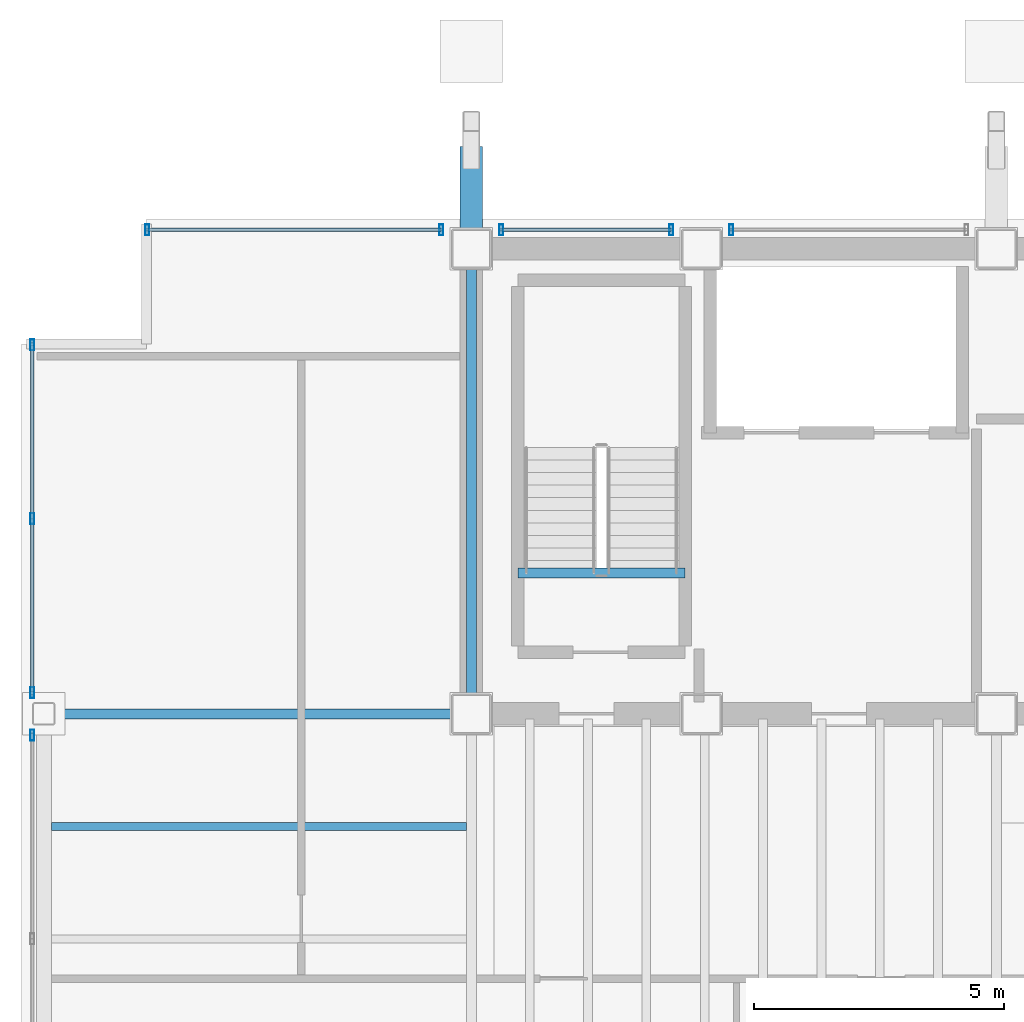
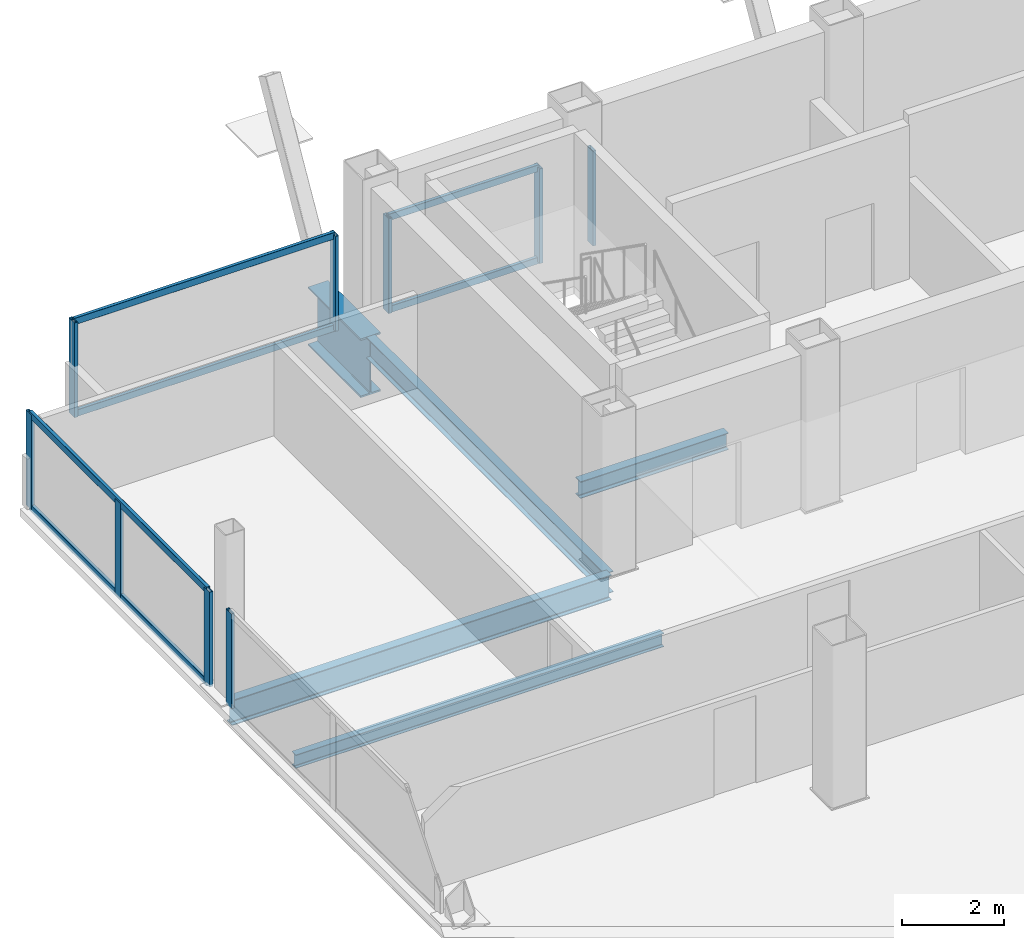
# One storey, part 8 of 16: 15 members, 5 beams, 5 elements without a shape of their own.
"""IFC4 building model written with IfcOpenShell, lengths in metres."""

import ifcopenshell
import ifcopenshell.guid

model = None  # the IFC model being written
_history = None  # IfcOwnerHistory: only IFC2X3 demands one
_inside = {}  # id of a spatial element -> (the spatial element, [elements in it])
_under = {}  # id of a project, library or spatial element -> (it, [spatial elements below it])
_declared = {}  # id of a project -> (the project, [libraries it declares])
_typed = {}  # id of a type object -> (the type object, [elements of that type])
_made_of = {}  # id of a material, layer set ... -> (it, [elements and type objects made of it])


def new_model(schema):
    """Start an empty IFC model of exactly this schema.

    Asked for "IFC4X3", IfcOpenShell would pick the latest addendum, in which some entities
    have other attributes; the version numbers below select the first issue.
    IFC2X3 requires an IfcOwnerHistory on every rooted entity: one is made here for all.
    """
    global model, _history
    if schema == "IFC4X3":
        model = ifcopenshell.file(schema_version=(4, 3, 0, 0))
    else:
        model = ifcopenshell.file(schema=schema)
    _inside.clear()
    _under.clear()
    _declared.clear()
    _typed.clear()
    _made_of.clear()
    _history = None
    if model.schema == "IFC2X3":
        org = make("IfcOrganization", Name="unknown")
        user = make(
            "IfcPersonAndOrganization",
            ThePerson=make("IfcPerson", FamilyName="unknown"),
            TheOrganization=org,
        )
        app = make(
            "IfcApplication",
            ApplicationDeveloper=org,
            Version="unknown",
            ApplicationFullName="unknown",
            ApplicationIdentifier="unknown",
        )
        _history = make(
            "IfcOwnerHistory",
            OwningUser=user,
            OwningApplication=app,
            ChangeAction="ADDED",
            CreationDate=0,
        )
    return model


def make(cls, **values):
    """One entity of the class cls with the attributes given. An attribute that is None is left unset."""
    return model.create_entity(
        cls, **{name: value for name, value in values.items() if value is not None}
    )


def rooted(cls, **values):
    """An entity with a GlobalId (a new one), such as an element, a storey or a relation."""
    return make(cls, GlobalId=ifcopenshell.guid.new(), OwnerHistory=_history, **values)


def si_unit(unit_type, name, prefix=None):
    """IfcSIUnit, for example si_unit("LENGTHUNIT", "METRE", prefix="MILLI")."""
    return make("IfcSIUnit", UnitType=unit_type, Prefix=prefix, Name=name)


def assignment(units):
    """IfcUnitAssignment: the units of a project."""
    return None if units is None else make("IfcUnitAssignment", Units=units)


def point(xyz):
    """IfcCartesianPoint."""
    return None if xyz is None else make("IfcCartesianPoint", Coordinates=xyz)


def direction(xyz):
    """IfcDirection."""
    return None if xyz is None else make("IfcDirection", DirectionRatios=xyz)


def frame(location, z_axis=None, x_axis=None):
    """IfcAxis2Placement3D, a coordinate frame: its origin and axes. An axis left out is left unset."""
    return make(
        "IfcAxis2Placement3D",
        Location=point(location),
        Axis=direction(z_axis),
        RefDirection=direction(x_axis),
    )


def frame_2d(location, x_axis=None):
    """IfcAxis2Placement2D, a coordinate frame in the plane: its origin and x axis."""
    return make(
        "IfcAxis2Placement2D", Location=point(location), RefDirection=direction(x_axis)
    )


def origin():
    """The frame at (0, 0, 0) with its axes left unset."""
    return frame((0.0, 0.0, 0.0))


def origin_2d():
    """The frame at (0, 0) in the plane with its x axis left unset."""
    return frame_2d((0.0, 0.0))


def place(relative_to, where):
    """IfcLocalPlacement: puts the frame where relative to a parent placement (None: the world)."""
    return make(
        "IfcLocalPlacement", PlacementRelTo=relative_to, RelativePlacement=where
    )


def context(
    kind, dimensions, precision=None, world=None, true_north=None, identifier=None
):
    """IfcGeometricRepresentationContext, for example the 3D "Model" context."""
    return make(
        "IfcGeometricRepresentationContext",
        ContextIdentifier=identifier,
        ContextType=kind,
        CoordinateSpaceDimension=dimensions,
        Precision=precision,
        WorldCoordinateSystem=world,
        TrueNorth=true_north,
    )


def subcontext(parent, identifier, kind, view, scale=None):
    """IfcGeometricRepresentationSubContext, for example "Body" below "Model"."""
    return make(
        "IfcGeometricRepresentationSubContext",
        ContextIdentifier=identifier,
        ContextType=kind,
        ParentContext=parent,
        TargetScale=scale,
        TargetView=view,
    )


def project(units=None, contexts=None):
    """IfcProject with its units and contexts."""
    return rooted(
        "IfcProject",
        Name="project",
        RepresentationContexts=contexts,
        UnitsInContext=assignment(units),
    )


def spatial(cls, under=None, at=None, **own):
    """A site, building, storey or space (cls), placed at a placement, below another one or the project."""
    s = rooted(cls, ObjectPlacement=at, **own)
    if under is not None:
        _under.setdefault(under.id(), (under, []))[1].append(s)
    return s


def profile(cls, at=None, kind="AREA", **sizes):
    """A parametric profile (cls). Its sizes go by their IFC names, for example OverallWidth=200.0."""
    return make(cls, ProfileType=kind, Position=at, **sizes)


def hollow_rectangle(**sizes):
    """IfcRectangleHollowProfileDef."""
    return profile("IfcRectangleHollowProfileDef", **sizes)


def i_section(**sizes):
    """IfcIShapeProfileDef."""
    return profile("IfcIShapeProfileDef", **sizes)


def extrude(swept, where, along, depth):
    """IfcExtrudedAreaSolid: the profile swept, set in the frame where, extruded along a direction by depth."""
    return make(
        "IfcExtrudedAreaSolid",
        SweptArea=swept,
        Position=where,
        ExtrudedDirection=direction(along),
        Depth=depth,
    )


def shape(context_of_items, identifier, shape_type, items):
    """IfcShapeRepresentation: the items that make up one representation, for example the "Body"."""
    return make(
        "IfcShapeRepresentation",
        ContextOfItems=context_of_items,
        RepresentationIdentifier=identifier,
        RepresentationType=shape_type,
        Items=items,
    )


def material(Name=None, Category=None):
    """IfcMaterial."""
    return make("IfcMaterial", Name=Name, Category=Category)


def material_profile(
    of_material, cross_section, Name=None, Category=None, Priority=None
):
    """IfcMaterialProfile: a cross section and its material."""
    return make(
        "IfcMaterialProfile",
        Name=Name,
        Material=of_material,
        Profile=cross_section,
        Priority=Priority,
        Category=Category,
    )


def profile_set(profiles, Name=None, composite=None):
    """IfcMaterialProfileSet."""
    return make(
        "IfcMaterialProfileSet",
        Name=Name,
        MaterialProfiles=profiles,
        CompositeProfile=composite,
    )


def made_of(thing, what):
    """Note that an element or type object is made of a material, layer set ...; save() writes the relation."""
    if what is not None:
        _made_of.setdefault(what.id(), (what, []))[1].append(thing)
    return thing


def type_object(cls, material=None, **own):
    """A type object (cls), such as IfcWallType, which elements share."""
    return made_of(rooted(cls, **own), material)


def element(
    cls,
    number,
    at=None,
    inside=None,
    cuts=None,
    type_object=None,
    material=None,
    context=None,
    identifier="Body",
    shape_type=None,
    held_by="IfcProductDefinitionShape",
    body=None,
    shapes=None,
    **own,
):
    """One element of the class cls, such as IfcWall. Its Tag is "e" and its number.

    at: its placement. inside: the storey or other place that contains it. cuts: it is an
    opening in that element (IfcRelVoidsElement). A single representation is given by context,
    identifier, shape_type and body (its items); several are given by shapes. held_by: the class
    of the entity that holds the representations. save() writes the other relations.
    """
    e = rooted(cls, Tag="e%d" % number, ObjectPlacement=at, **own)
    if body is not None:
        shapes = [shape(context, identifier, shape_type, body)]
    if shapes is not None:
        e.Representation = make(held_by, Representations=shapes)
    if inside is not None:
        _inside.setdefault(inside.id(), (inside, []))[1].append(e)
    if cuts is not None:
        rooted(
            "IfcRelVoidsElement", RelatingBuildingElement=cuts, RelatedOpeningElement=e
        )
    if type_object is not None:
        _typed.setdefault(type_object.id(), (type_object, []))[1].append(e)
    return made_of(e, material)


def aggregate(whole, parts):
    """IfcRelAggregates: a whole, such as a stair, and the parts it consists of."""
    return rooted("IfcRelAggregates", RelatingObject=whole, RelatedObjects=parts)


def save(model, path):
    """Write the relations noted so far, then the file.

    IfcRelAggregates (storeys below a building ...), IfcRelContainedInSpatialStructure (elements
    in a storey), IfcRelDefinesByType, IfcRelAssociatesMaterial and IfcRelDeclares: one each for
    every whole, place, type object, material and project.
    """
    for whole, parts in _under.values():
        aggregate(whole, parts)
    for where, things in _inside.values():
        rooted(
            "IfcRelContainedInSpatialStructure",
            RelatedElements=things,
            RelatingStructure=where,
        )
    for kind, things in _typed.values():
        rooted("IfcRelDefinesByType", RelatedObjects=things, RelatingType=kind)
    for what, things in _made_of.values():
        rooted("IfcRelAssociatesMaterial", RelatedObjects=things, RelatingMaterial=what)
    for by, libraries in _declared.values():
        rooted("IfcRelDeclares", RelatingContext=by, RelatedDefinitions=libraries)
    model.write(path)


model = new_model("IFC4")

# Units and contexts
model_context = context("Model", 3, precision=1e-05, world=origin(), true_north=direction((0.0, 1.0)))
body_context = subcontext(model_context, "Body", "Model", "MODEL_VIEW")
ifc_project = project(units=[si_unit("LENGTHUNIT", "METRE"), si_unit("AREAUNIT", "SQUARE_METRE"), si_unit("VOLUMEUNIT", "CUBIC_METRE"), si_unit("PLANEANGLEUNIT", "RADIAN"), si_unit("MASSUNIT", "GRAM", prefix="KILO")], contexts=[model_context])

# Site, building, storey
site_placement = place(None, origin())
site = spatial("IfcSite", under=ifc_project, at=site_placement, CompositionType="ELEMENT")
building_placement = place(site_placement, origin())
building = spatial("IfcBuilding", under=site, at=building_placement, Name="Noeulbin Bourse Tower", CompositionType="ELEMENT")
storey_placement = place(building_placement, frame((0.0, 0.0, 254.0)))
storey = spatial("IfcBuildingStorey", under=building, at=storey_placement, Name="L63", CompositionType="ELEMENT", Elevation=254.0)

# Beams
ifc_material_1 = material(Name="Steel S355", Category="steel")
ifc_material_profile_1 = material_profile(ifc_material_1, i_section(OverallWidth=0.199951171875, OverallDepth=0.5, WebThickness=0.010009765625, FlangeThickness=0.01611328125, FilletRadius=0.02001953125, at=origin_2d()), Name="H-500x200x10x16", Category="LoadBearing")
ifc_profile_set_1 = profile_set([ifc_material_profile_1], Name="Steel S355")
beam_type_1 = type_object("IfcBeamType", Name="BM-GRD-500", PredefinedType="USERDEFINED", material=ifc_profile_set_1)
beam_1_placement = place(storey_placement, frame((13.5, 29.0, -0.429931640625), z_axis=(0.0, 1.0, 0.0), x_axis=(-1.0, 0.0, 0.0)))
element("IfcBeam", 1, at=beam_1_placement, inside=storey, type_object=beam_type_1, Name="Tower Primary Girder NS L63-1.3", ObjectType="GIRDER", PredefinedType="USERDEFINED", context=body_context, shape_type="SweptSolid", body=[
    extrude(i_section(OverallWidth=0.199951171875, OverallDepth=0.5, WebThickness=0.010009765625, FlangeThickness=0.01611328125, FilletRadius=0.02001953125, at=origin_2d()), origin(), (0.0, 0.0, 1.0), 9.300048828125),
])
ifc_material_profile_2 = material_profile(ifc_material_1, i_section(OverallWidth=0.199951171875, OverallDepth=0.60009765625, WebThickness=0.010986328125, FlangeThickness=0.01708984375, FilletRadius=0.02197265625, at=origin_2d()), Name="H-600x200x11x17", Category="LoadBearing")
ifc_profile_set_2 = profile_set([ifc_material_profile_2], Name="Steel S355")
beam_type_2 = type_object("IfcBeamType", Name="BM-GRD-600", PredefinedType="USERDEFINED", material=ifc_profile_set_2)
beam_2_placement = place(storey_placement, frame((4.949951171875, 29.0, -0.47998046875), z_axis=(1.0, 0.0, 0.0), x_axis=(0.0, 1.0, 0.0)))
element("IfcBeam", 2, at=beam_2_placement, inside=storey, type_object=beam_type_2, Name="Tower Primary Girder EW L63-2.1", ObjectType="GIRDER", PredefinedType="USERDEFINED", context=body_context, shape_type="SweptSolid", body=[
    extrude(i_section(OverallWidth=0.199951171875, OverallDepth=0.60009765625, WebThickness=0.010986328125, FlangeThickness=0.01708984375, FilletRadius=0.02197265625, at=origin_2d()), origin(), (0.0, 0.0, 1.0), 8.550048828125),
])
ifc_material_profile_3 = material_profile(ifc_material_1, i_section(OverallWidth=0.159912109375, OverallDepth=0.320068359375, WebThickness=0.006591796875, FlangeThickness=0.010009765625, FilletRadius=0.012939453125, at=origin_2d()), Name="H-320x160x6.5x10", Category="LoadBearing")
ifc_profile_set_3 = profile_set([ifc_material_profile_3], Name="Steel S355")
beam_type_3 = type_object("IfcBeamType", Name="BM-JST-320", PredefinedType="JOIST", material=ifc_profile_set_3)
beam_3_placement = place(storey_placement, frame((5.10009765625, 26.75, -0.340087890625), z_axis=(1.0, 0.0, 0.0), x_axis=(0.0, 1.0, 0.0)))
element("IfcBeam", 3, at=beam_3_placement, inside=storey, type_object=beam_type_3, Name="Wing Composite Joist L63-W39", PredefinedType="JOIST", context=body_context, shape_type="SweptSolid", body=[
    extrude(i_section(OverallWidth=0.159912109375, OverallDepth=0.320068359375, WebThickness=0.006591796875, FlangeThickness=0.010009765625, FilletRadius=0.012939453125, at=origin_2d()), origin(), (0.0, 0.0, 1.0), 8.2998046875),
])
ifc_material_profile_4 = material_profile(ifc_material_1, i_section(OverallWidth=0.199951171875, OverallDepth=0.39990234375, WebThickness=0.008056640625, FlangeThickness=0.012939453125, FilletRadius=0.01611328125, at=origin_2d()), Name="H-400x200x8x13", Category="LoadBearing")
ifc_profile_set_4 = profile_set([ifc_material_profile_4], Name="Steel S355")
beam_type_4 = type_object("IfcBeamType", Name="BM-SEC-400", PredefinedType="BEAM", material=ifc_profile_set_4)
beam_4_placement = place(storey_placement, frame((14.429931640625, 31.820068359375, -0.199951171875), z_axis=(1.0, 0.0, 0.0), x_axis=(0.0, 1.0, 0.0)))
element("IfcBeam", 4, at=beam_4_placement, inside=storey, type_object=beam_type_4, Name="Stair Threshold Trimmer Beam ST1-L63", PredefinedType="BEAM", context=body_context, shape_type="SweptSolid", body=[
    extrude(i_section(OverallWidth=0.199951171875, OverallDepth=0.39990234375, WebThickness=0.008056640625, FlangeThickness=0.012939453125, FilletRadius=0.01611328125, at=origin_2d()), origin(), (0.0, 0.0, 1.0), 3.340087890625),
])
ifc_material_2 = material(Name="Steel S460", Category="steel")
ifc_material_profile_5 = material_profile(ifc_material_2, i_section(OverallWidth=0.449951171875, OverallDepth=1.39990234375, WebThickness=0.02392578125, FlangeThickness=0.0400390625, FilletRadius=0.02392578125, at=origin_2d()), Name="PG-1400x450x24x40", Category="LoadBearing")
ifc_profile_set_5 = profile_set([ifc_material_profile_5], Name="Steel S460")
beam_type_5 = type_object("IfcBeamType", Name="BM-TRF-1400", PredefinedType="USERDEFINED", material=ifc_profile_set_5)
beam_5_placement = place(storey_placement, frame((13.5, 38.300048828125, -0.8798828125), z_axis=(0.0, 1.0, 0.0), x_axis=(-1.0, 0.0, 0.0)))
element("IfcBeam", 5, at=beam_5_placement, inside=storey, type_object=beam_type_5, Name="Transfer Outrigger Corbel L63-01", ObjectType="GIRDER", PredefinedType="USERDEFINED", context=body_context, shape_type="SweptSolid", body=[
    extrude(i_section(OverallWidth=0.449951171875, OverallDepth=1.39990234375, WebThickness=0.02392578125, FlangeThickness=0.0400390625, FilletRadius=0.02392578125, at=origin_2d()), origin(), (0.0, 0.0, 1.0), 2.050048828125),
])

# Curtain wall, members
ifc_material_3 = material(Name="High-Selectivity Low-Iron Glazing", Category="glass")
curtain_wall_type = type_object("IfcCurtainWallType", Name="CW-SYS-4", PredefinedType="NOTDEFINED", material=ifc_material_3)
curtain_wall_1_placement = place(storey_placement, origin())
curtain_wall_1 = element("IfcCurtainWall", 6, at=curtain_wall_1_placement, inside=storey, type_object=curtain_wall_type, Name="Unitised Curtain Wall CW-L63-N-S1", PredefinedType="NOTDEFINED")
ifc_material_4 = material(Name="Anodised Aluminium 6063-T6", Category="aluminium")
ifc_material_profile_6 = material_profile(ifc_material_4, hollow_rectangle(XDim=0.074951171875, YDim=0.219970703125, WallThickness=0.0048828125, InnerFilletRadius=0.00244140625, OuterFilletRadius=0.0048828125, at=origin_2d()), Name="ALU-MULL-75x220x5", Category="LoadBearing")
ifc_profile_set_6 = profile_set([ifc_material_profile_6], Name="Anodised Aluminium 6063-T6")
member_type_1 = type_object("IfcMemberType", Name="CW-SYS-4-MUL", PredefinedType="MULLION", material=ifc_profile_set_6)
member_1_placement = place(storey_placement, frame((7.02001953125, 38.679931640625, -0.02001953125), z_axis=(0.0, 0.0, 1.0), x_axis=(1.0, 0.0, 0.0)))
member_1 = element("IfcMember", 7, at=member_1_placement, type_object=member_type_1, Name="Curtain Wall Mullion CW-L63-N-S1-M00", PredefinedType="MULLION", context=body_context, shape_type="SweptSolid", body=[
    extrude(hollow_rectangle(XDim=0.074951171875, YDim=0.219970703125, WallThickness=0.0048828125, InnerFilletRadius=0.00244140625, OuterFilletRadius=0.0048828125, at=origin_2d()), origin(), (0.0, 0.0, 1.0), 2.260009765625),
])
member_2_placement = place(storey_placement, frame((12.89990234375, 38.679931640625, -0.02001953125), z_axis=(0.0, 0.0, 1.0), x_axis=(1.0, 0.0, 0.0)))
member_2 = element("IfcMember", 8, at=member_2_placement, type_object=member_type_1, Name="Curtain Wall Mullion CW-L63-N-S1-M01", PredefinedType="MULLION", context=body_context, shape_type="SweptSolid", body=[
    extrude(hollow_rectangle(XDim=0.074951171875, YDim=0.219970703125, WallThickness=0.0048828125, InnerFilletRadius=0.00244140625, OuterFilletRadius=0.0048828125, at=origin_2d()), origin(), (0.0, 0.0, 1.0), 2.260009765625),
])

curtain_wall_2_placement = place(storey_placement, origin())
curtain_wall_2 = element("IfcCurtainWall", 9, at=curtain_wall_2_placement, inside=storey, type_object=curtain_wall_type, Name="Unitised Curtain Wall CW-L63-N-S2", PredefinedType="NOTDEFINED")
member_3_placement = place(storey_placement, frame((14.10009765625, 38.679931640625, -0.02001953125), z_axis=(0.0, 0.0, 1.0), x_axis=(1.0, 0.0, 0.0)))
member_3 = element("IfcMember", 10, at=member_3_placement, type_object=member_type_1, Name="Curtain Wall Mullion CW-L63-N-S2-M00", PredefinedType="MULLION", context=body_context, shape_type="SweptSolid", body=[
    extrude(hollow_rectangle(XDim=0.074951171875, YDim=0.219970703125, WallThickness=0.0048828125, InnerFilletRadius=0.00244140625, OuterFilletRadius=0.0048828125, at=origin_2d()), origin(), (0.0, 0.0, 1.0), 2.260009765625),
])
member_4_placement = place(storey_placement, frame((17.5, 38.679931640625, -0.02001953125), z_axis=(0.0, 0.0, 1.0), x_axis=(1.0, 0.0, 0.0)))
member_4 = element("IfcMember", 11, at=member_4_placement, type_object=member_type_1, Name="Curtain Wall Mullion CW-L63-N-S2-M01", PredefinedType="MULLION", context=body_context, shape_type="SweptSolid", body=[
    extrude(hollow_rectangle(XDim=0.074951171875, YDim=0.219970703125, WallThickness=0.0048828125, InnerFilletRadius=0.00244140625, OuterFilletRadius=0.0048828125, at=origin_2d()), origin(), (0.0, 0.0, 1.0), 2.260009765625),
])

# Curtain wall, member
curtain_wall_3_placement = place(storey_placement, origin())
curtain_wall_3 = element("IfcCurtainWall", 12, at=curtain_wall_3_placement, inside=storey, type_object=curtain_wall_type, Name="Unitised Curtain Wall CW-L63-N-S3", PredefinedType="NOTDEFINED")
member_5_placement = place(storey_placement, frame((18.699951171875, 38.679931640625, -0.02001953125), z_axis=(0.0, 0.0, 1.0), x_axis=(1.0, 0.0, 0.0)))
member_5 = element("IfcMember", 13, at=member_5_placement, type_object=member_type_1, Name="Curtain Wall Mullion CW-L63-N-S3-M00", PredefinedType="MULLION", context=body_context, shape_type="SweptSolid", body=[
    extrude(hollow_rectangle(XDim=0.074951171875, YDim=0.219970703125, WallThickness=0.0048828125, InnerFilletRadius=0.00244140625, OuterFilletRadius=0.0048828125, at=origin_2d()), origin(), (0.0, 0.0, 1.0), 2.260009765625),
])
aggregate(curtain_wall_3, [member_5])

curtain_wall_4_placement = place(storey_placement, origin())
curtain_wall_4 = element("IfcCurtainWall", 14, at=curtain_wall_4_placement, inside=storey, type_object=curtain_wall_type, Name="Unitised Curtain Wall CW-L63-W-S2", PredefinedType="NOTDEFINED")
member_6_placement = place(storey_placement, frame((4.719970703125, 28.574951171875, -0.02001953125), z_axis=(0.0, 0.0, 1.0), x_axis=(1.0, 0.0, 0.0)))
member_6 = element("IfcMember", 15, at=member_6_placement, type_object=member_type_1, Name="Curtain Wall Mullion CW-L63-W-S2-M02", PredefinedType="MULLION", context=body_context, shape_type="SweptSolid", body=[
    extrude(hollow_rectangle(XDim=0.074951171875, YDim=0.219970703125, WallThickness=0.0048828125, InnerFilletRadius=0.00244140625, OuterFilletRadius=0.0048828125, at=origin_2d()), origin(), (0.0, 0.0, 1.0), 2.260009765625),
])
aggregate(curtain_wall_4, [member_6])

# Curtain wall, members
curtain_wall_5_placement = place(storey_placement, origin())
curtain_wall_5 = element("IfcCurtainWall", 16, at=curtain_wall_5_placement, inside=storey, type_object=curtain_wall_type, Name="Unitised Curtain Wall CW-L63-W-S3", PredefinedType="NOTDEFINED")
member_7_placement = place(storey_placement, frame((4.719970703125, 29.425048828125, -0.02001953125), z_axis=(0.0, 0.0, 1.0), x_axis=(1.0, 0.0, 0.0)))
member_7 = element("IfcMember", 17, at=member_7_placement, type_object=member_type_1, Name="Curtain Wall Mullion CW-L63-W-S3-M00", PredefinedType="MULLION", context=body_context, shape_type="SweptSolid", body=[
    extrude(hollow_rectangle(XDim=0.074951171875, YDim=0.219970703125, WallThickness=0.0048828125, InnerFilletRadius=0.00244140625, OuterFilletRadius=0.0048828125, at=origin_2d()), origin(), (0.0, 0.0, 1.0), 2.260009765625),
])
member_8_placement = place(storey_placement, frame((4.719970703125, 32.902587890625, -0.02001953125), z_axis=(0.0, 0.0, 1.0), x_axis=(1.0, 0.0, 0.0)))
member_8 = element("IfcMember", 18, at=member_8_placement, type_object=member_type_1, Name="Curtain Wall Mullion CW-L63-W-S3-M01", PredefinedType="MULLION", context=body_context, shape_type="SweptSolid", body=[
    extrude(hollow_rectangle(XDim=0.074951171875, YDim=0.219970703125, WallThickness=0.0048828125, InnerFilletRadius=0.00244140625, OuterFilletRadius=0.0048828125, at=origin_2d()), origin(), (0.0, 0.0, 1.0), 2.260009765625),
])
member_9_placement = place(storey_placement, frame((4.719970703125, 36.3798828125, -0.02001953125), z_axis=(0.0, 0.0, 1.0), x_axis=(1.0, 0.0, 0.0)))
member_9 = element("IfcMember", 19, at=member_9_placement, type_object=member_type_1, Name="Curtain Wall Mullion CW-L63-W-S3-M02", PredefinedType="MULLION", context=body_context, shape_type="SweptSolid", body=[
    extrude(hollow_rectangle(XDim=0.074951171875, YDim=0.219970703125, WallThickness=0.0048828125, InnerFilletRadius=0.00244140625, OuterFilletRadius=0.0048828125, at=origin_2d()), origin(), (0.0, 0.0, 1.0), 2.260009765625),
])

# Member
ifc_material_profile_7 = material_profile(ifc_material_4, hollow_rectangle(XDim=0.074951171875, YDim=0.159912109375, WallThickness=0.0048828125, InnerFilletRadius=0.00244140625, OuterFilletRadius=0.0048828125, at=origin_2d()), Name="ALU-TRAN-75x160x5", Category="LoadBearing")
ifc_profile_set_7 = profile_set([ifc_material_profile_7], Name="Anodised Aluminium 6063-T6")
member_type_2 = type_object("IfcMemberType", Name="CW-SYS-4-TRN", PredefinedType="USERDEFINED", material=ifc_profile_set_7)
member_10_placement = place(storey_placement, frame((7.030029296875, 38.679931640625, 0.010009765625), z_axis=(1.0, 0.0, 0.0), x_axis=(0.0, 1.0, 0.0)))
member_10 = element("IfcMember", 20, at=member_10_placement, type_object=member_type_2, Name="Curtain Wall Transom CW-L63-N-S1-T00", ObjectType="TRANSOM", PredefinedType="USERDEFINED", context=body_context, shape_type="SweptSolid", body=[
    extrude(hollow_rectangle(XDim=0.074951171875, YDim=0.159912109375, WallThickness=0.0048828125, InnerFilletRadius=0.00244140625, OuterFilletRadius=0.0048828125, at=origin_2d()), origin(), (0.0, 0.0, 1.0), 5.85986328125),
])

member_11_placement = place(storey_placement, frame((7.030029296875, 38.679931640625, 2.2099609375), z_axis=(1.0, 0.0, 0.0), x_axis=(0.0, 1.0, 0.0)))
member_11 = element("IfcMember", 21, at=member_11_placement, type_object=member_type_2, Name="Curtain Wall Transom CW-L63-N-S1-T01", ObjectType="TRANSOM", PredefinedType="USERDEFINED", context=body_context, shape_type="SweptSolid", body=[
    extrude(hollow_rectangle(XDim=0.074951171875, YDim=0.159912109375, WallThickness=0.0048828125, InnerFilletRadius=0.00244140625, OuterFilletRadius=0.0048828125, at=origin_2d()), origin(), (0.0, 0.0, 1.0), 5.85986328125),
])

aggregate(curtain_wall_1, [member_1, member_2, member_10, member_11])

member_12_placement = place(storey_placement, frame((14.110107421875, 38.679931640625, 0.010009765625), z_axis=(1.0, 0.0, 0.0), x_axis=(0.0, 1.0, 0.0)))
member_12 = element("IfcMember", 22, at=member_12_placement, type_object=member_type_2, Name="Curtain Wall Transom CW-L63-N-S2-T00", ObjectType="TRANSOM", PredefinedType="USERDEFINED", context=body_context, shape_type="SweptSolid", body=[
    extrude(hollow_rectangle(XDim=0.074951171875, YDim=0.159912109375, WallThickness=0.0048828125, InnerFilletRadius=0.00244140625, OuterFilletRadius=0.0048828125, at=origin_2d()), origin(), (0.0, 0.0, 1.0), 3.3798828125),
])

member_13_placement = place(storey_placement, frame((14.110107421875, 38.679931640625, 2.2099609375), z_axis=(1.0, 0.0, 0.0), x_axis=(0.0, 1.0, 0.0)))
member_13 = element("IfcMember", 23, at=member_13_placement, type_object=member_type_2, Name="Curtain Wall Transom CW-L63-N-S2-T01", ObjectType="TRANSOM", PredefinedType="USERDEFINED", context=body_context, shape_type="SweptSolid", body=[
    extrude(hollow_rectangle(XDim=0.074951171875, YDim=0.159912109375, WallThickness=0.0048828125, InnerFilletRadius=0.00244140625, OuterFilletRadius=0.0048828125, at=origin_2d()), origin(), (0.0, 0.0, 1.0), 3.3798828125),
])

aggregate(curtain_wall_2, [member_3, member_4, member_12, member_13])

member_14_placement = place(storey_placement, frame((4.719970703125, 29.43505859375, 0.010009765625), z_axis=(0.0, 1.0, 0.0), x_axis=(-1.0, 0.0, 0.0)))
member_14 = element("IfcMember", 24, at=member_14_placement, type_object=member_type_2, Name="Curtain Wall Transom CW-L63-W-S3-T00", ObjectType="TRANSOM", PredefinedType="USERDEFINED", context=body_context, shape_type="SweptSolid", body=[
    extrude(hollow_rectangle(XDim=0.074951171875, YDim=0.159912109375, WallThickness=0.0048828125, InnerFilletRadius=0.00244140625, OuterFilletRadius=0.0048828125, at=origin_2d()), origin(), (0.0, 0.0, 1.0), 6.93505859375),
])

member_15_placement = place(storey_placement, frame((4.719970703125, 29.43505859375, 2.2099609375), z_axis=(0.0, 1.0, 0.0), x_axis=(-1.0, 0.0, 0.0)))
member_15 = element("IfcMember", 25, at=member_15_placement, type_object=member_type_2, Name="Curtain Wall Transom CW-L63-W-S3-T01", ObjectType="TRANSOM", PredefinedType="USERDEFINED", context=body_context, shape_type="SweptSolid", body=[
    extrude(hollow_rectangle(XDim=0.074951171875, YDim=0.159912109375, WallThickness=0.0048828125, InnerFilletRadius=0.00244140625, OuterFilletRadius=0.0048828125, at=origin_2d()), origin(), (0.0, 0.0, 1.0), 6.93505859375),
])

aggregate(curtain_wall_5, [member_7, member_8, member_9, member_14, member_15])

save(model, "model.ifc")
